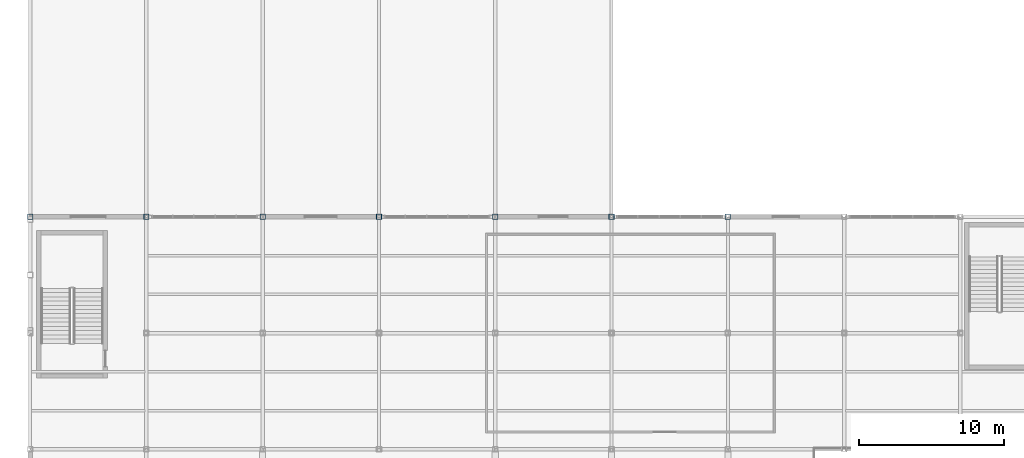
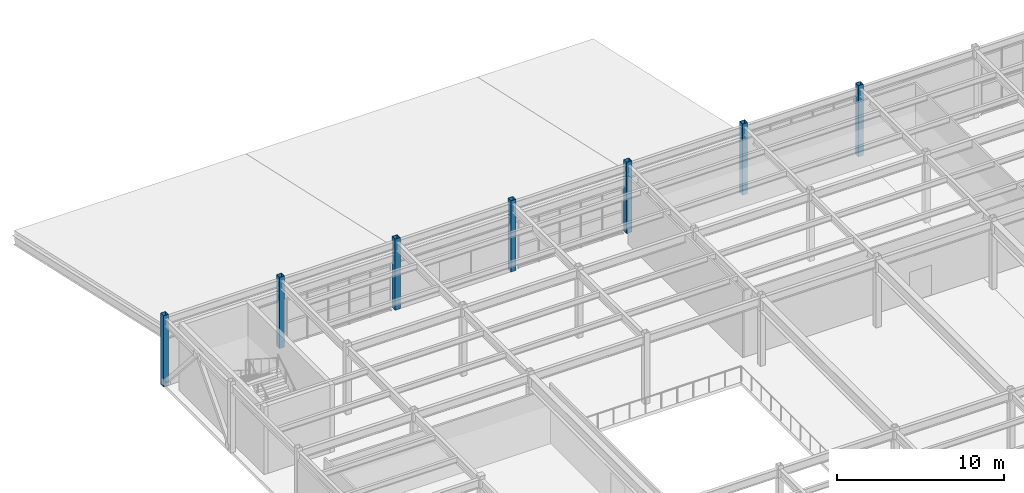
# One storey, part 10 of 77: 7 columns.
"""IFC4 building model written with IfcOpenShell, lengths in metres."""

from ifc_helpers import new_model, si_unit, direction, frame, origin, origin_2d, place, context, subcontext, project, spatial, hollow_rectangle, extrude, material, material_profile, profile_set, type_object, element, save


model = new_model("IFC4")

# Units and contexts
model_context = context("Model", 3, precision=1e-05, world=origin(), true_north=direction((0.0, 1.0)))
body_context = subcontext(model_context, "Body", "Model", "MODEL_VIEW")
ifc_project = project(units=[si_unit("LENGTHUNIT", "METRE"), si_unit("AREAUNIT", "SQUARE_METRE"), si_unit("VOLUMEUNIT", "CUBIC_METRE"), si_unit("PLANEANGLEUNIT", "RADIAN"), si_unit("MASSUNIT", "GRAM", prefix="KILO")], contexts=[model_context])

# Site, building, storey
site_placement = place(None, origin())
site = spatial("IfcSite", under=ifc_project, at=site_placement, CompositionType="ELEMENT")
building_placement = place(site_placement, origin())
building = spatial("IfcBuilding", under=site, at=building_placement, Name="Drelvath Fold Interchange", CompositionType="ELEMENT")
storey_placement = place(building_placement, frame((0.0, 0.0, 6.0)))
storey = spatial("IfcBuildingStorey", under=building, at=storey_placement, Name="L01", CompositionType="ELEMENT", Elevation=6.0)

# Columns
ifc_material = material(Name="Steel ASTM A500 Grade C", Category="steel")
ifc_material_profile = material_profile(ifc_material, hollow_rectangle(XDim=0.35595703125, YDim=0.35595703125, WallThickness=0.014892578125, at=origin_2d()), Name="HSS14X14X5/8")
ifc_profile_set = profile_set([ifc_material_profile], Name="Steel ASTM A500 Grade C")
column_type = type_object("IfcColumnType", Name="COL-HSS356", PredefinedType="COLUMN", material=ifc_profile_set)
for number, where, z_axis, x_axis, name in (
    (1, (4.0, 99.0, 0.0), (0.0, 0.0, 1.0), (1.0, 0.0, 0.0), "L01 column (4,99)"),
    (2, (12.0, 99.0, 0.0), (0.0, 0.0, 1.0), (1.0, 0.0, 0.0), "L01 column (12,99)"),
    (3, (20.0, 99.0, 0.0), (0.0, 0.0, 1.0), (1.0, 0.0, 0.0), "L01 column (20,99)"),
    (4, (28.0, 99.0, 0.0), (0.0, 0.0, 1.0), (1.0, 0.0, 0.0), "L01 column (28,99)"),
    (5, (36.0, 99.0, 0.0), (0.0, 0.0, 1.0), (1.0, 0.0, 0.0), "L01 column (36,99)"),
    (6, (44.0, 99.0, 0.0), (0.0, 0.0, 1.0), (1.0, 0.0, 0.0), "L01 column (44,99)"),
    (7, (52.0, 99.0, 0.0), (0.0, 0.0, 1.0), (1.0, 0.0, 0.0), "L01 column (52,99)"),
):
    element("IfcColumn", number, at=place(storey_placement, frame(where, z_axis=z_axis, x_axis=x_axis)), inside=storey, type_object=column_type, Name=name, PredefinedType="COLUMN", context=body_context, shape_type="SweptSolid", body=[
        extrude(hollow_rectangle(XDim=0.35595703125, YDim=0.35595703125, WallThickness=0.014892578125, at=origin_2d()), origin(), (0.0, 0.0, 1.0), 5.199951171875),
    ])

save(model, "model.ifc")
